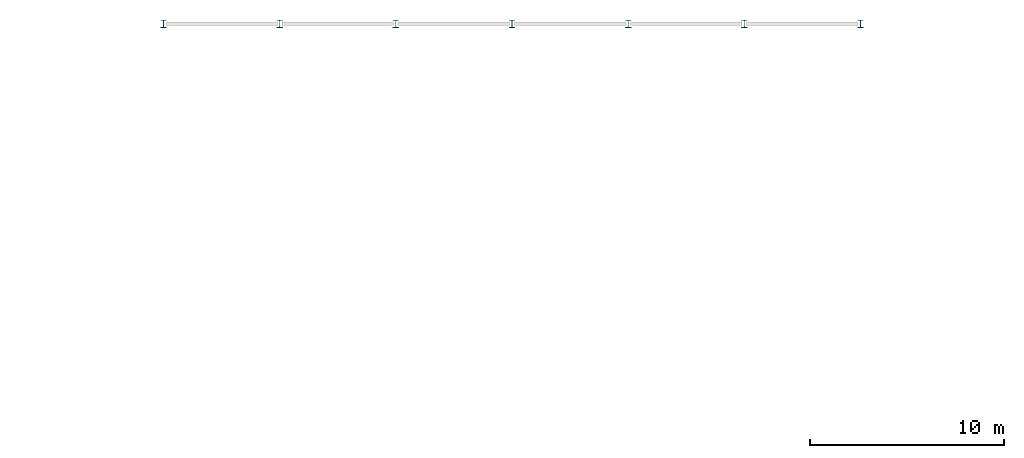
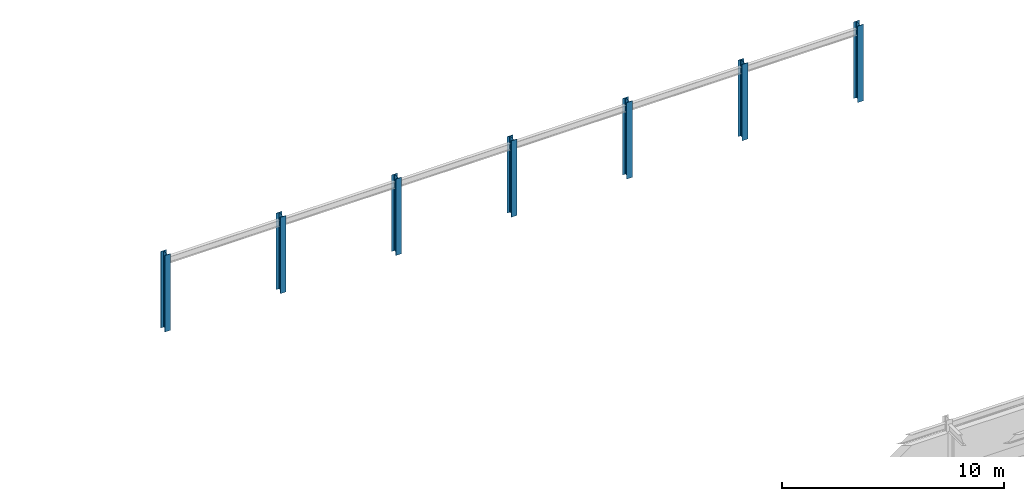
# One storey, part 4 of 47: 7 columns.
"""IFC4 building model written with IfcOpenShell, lengths in metres."""

import ifcopenshell
import ifcopenshell.guid

model = None  # the IFC model being written
_history = None  # IfcOwnerHistory: only IFC2X3 demands one
_inside = {}  # id of a spatial element -> (the spatial element, [elements in it])
_under = {}  # id of a project, library or spatial element -> (it, [spatial elements below it])
_declared = {}  # id of a project -> (the project, [libraries it declares])
_typed = {}  # id of a type object -> (the type object, [elements of that type])
_made_of = {}  # id of a material, layer set ... -> (it, [elements and type objects made of it])


def new_model(schema):
    """Start an empty IFC model of exactly this schema.

    Asked for "IFC4X3", IfcOpenShell would pick the latest addendum, in which some entities
    have other attributes; the version numbers below select the first issue.
    IFC2X3 requires an IfcOwnerHistory on every rooted entity: one is made here for all.
    """
    global model, _history
    if schema == "IFC4X3":
        model = ifcopenshell.file(schema_version=(4, 3, 0, 0))
    else:
        model = ifcopenshell.file(schema=schema)
    _inside.clear()
    _under.clear()
    _declared.clear()
    _typed.clear()
    _made_of.clear()
    _history = None
    if model.schema == "IFC2X3":
        org = make("IfcOrganization", Name="unknown")
        user = make(
            "IfcPersonAndOrganization",
            ThePerson=make("IfcPerson", FamilyName="unknown"),
            TheOrganization=org,
        )
        app = make(
            "IfcApplication",
            ApplicationDeveloper=org,
            Version="unknown",
            ApplicationFullName="unknown",
            ApplicationIdentifier="unknown",
        )
        _history = make(
            "IfcOwnerHistory",
            OwningUser=user,
            OwningApplication=app,
            ChangeAction="ADDED",
            CreationDate=0,
        )
    return model


def make(cls, **values):
    """One entity of the class cls with the attributes given. An attribute that is None is left unset."""
    return model.create_entity(
        cls, **{name: value for name, value in values.items() if value is not None}
    )


def rooted(cls, **values):
    """An entity with a GlobalId (a new one), such as an element, a storey or a relation."""
    return make(cls, GlobalId=ifcopenshell.guid.new(), OwnerHistory=_history, **values)


def si_unit(unit_type, name, prefix=None):
    """IfcSIUnit, for example si_unit("LENGTHUNIT", "METRE", prefix="MILLI")."""
    return make("IfcSIUnit", UnitType=unit_type, Prefix=prefix, Name=name)


def assignment(units):
    """IfcUnitAssignment: the units of a project."""
    return None if units is None else make("IfcUnitAssignment", Units=units)


def point(xyz):
    """IfcCartesianPoint."""
    return None if xyz is None else make("IfcCartesianPoint", Coordinates=xyz)


def direction(xyz):
    """IfcDirection."""
    return None if xyz is None else make("IfcDirection", DirectionRatios=xyz)


def frame(location, z_axis=None, x_axis=None):
    """IfcAxis2Placement3D, a coordinate frame: its origin and axes. An axis left out is left unset."""
    return make(
        "IfcAxis2Placement3D",
        Location=point(location),
        Axis=direction(z_axis),
        RefDirection=direction(x_axis),
    )


def frame_2d(location, x_axis=None):
    """IfcAxis2Placement2D, a coordinate frame in the plane: its origin and x axis."""
    return make(
        "IfcAxis2Placement2D", Location=point(location), RefDirection=direction(x_axis)
    )


def origin():
    """The frame at (0, 0, 0) with its axes left unset."""
    return frame((0.0, 0.0, 0.0))


def origin_2d():
    """The frame at (0, 0) in the plane with its x axis left unset."""
    return frame_2d((0.0, 0.0))


def place(relative_to, where):
    """IfcLocalPlacement: puts the frame where relative to a parent placement (None: the world)."""
    return make(
        "IfcLocalPlacement", PlacementRelTo=relative_to, RelativePlacement=where
    )


def context(
    kind, dimensions, precision=None, world=None, true_north=None, identifier=None
):
    """IfcGeometricRepresentationContext, for example the 3D "Model" context."""
    return make(
        "IfcGeometricRepresentationContext",
        ContextIdentifier=identifier,
        ContextType=kind,
        CoordinateSpaceDimension=dimensions,
        Precision=precision,
        WorldCoordinateSystem=world,
        TrueNorth=true_north,
    )


def subcontext(parent, identifier, kind, view, scale=None):
    """IfcGeometricRepresentationSubContext, for example "Body" below "Model"."""
    return make(
        "IfcGeometricRepresentationSubContext",
        ContextIdentifier=identifier,
        ContextType=kind,
        ParentContext=parent,
        TargetScale=scale,
        TargetView=view,
    )


def project(units=None, contexts=None):
    """IfcProject with its units and contexts."""
    return rooted(
        "IfcProject",
        Name="project",
        RepresentationContexts=contexts,
        UnitsInContext=assignment(units),
    )


def spatial(cls, under=None, at=None, **own):
    """A site, building, storey or space (cls), placed at a placement, below another one or the project."""
    s = rooted(cls, ObjectPlacement=at, **own)
    if under is not None:
        _under.setdefault(under.id(), (under, []))[1].append(s)
    return s


def profile(cls, at=None, kind="AREA", **sizes):
    """A parametric profile (cls). Its sizes go by their IFC names, for example OverallWidth=200.0."""
    return make(cls, ProfileType=kind, Position=at, **sizes)


def i_section(**sizes):
    """IfcIShapeProfileDef."""
    return profile("IfcIShapeProfileDef", **sizes)


def extrude(swept, where, along, depth):
    """IfcExtrudedAreaSolid: the profile swept, set in the frame where, extruded along a direction by depth."""
    return make(
        "IfcExtrudedAreaSolid",
        SweptArea=swept,
        Position=where,
        ExtrudedDirection=direction(along),
        Depth=depth,
    )


def shape(context_of_items, identifier, shape_type, items):
    """IfcShapeRepresentation: the items that make up one representation, for example the "Body"."""
    return make(
        "IfcShapeRepresentation",
        ContextOfItems=context_of_items,
        RepresentationIdentifier=identifier,
        RepresentationType=shape_type,
        Items=items,
    )


def material(Name=None, Category=None):
    """IfcMaterial."""
    return make("IfcMaterial", Name=Name, Category=Category)


def material_profile(
    of_material, cross_section, Name=None, Category=None, Priority=None
):
    """IfcMaterialProfile: a cross section and its material."""
    return make(
        "IfcMaterialProfile",
        Name=Name,
        Material=of_material,
        Profile=cross_section,
        Priority=Priority,
        Category=Category,
    )


def profile_set(profiles, Name=None, composite=None):
    """IfcMaterialProfileSet."""
    return make(
        "IfcMaterialProfileSet",
        Name=Name,
        MaterialProfiles=profiles,
        CompositeProfile=composite,
    )


def made_of(thing, what):
    """Note that an element or type object is made of a material, layer set ...; save() writes the relation."""
    if what is not None:
        _made_of.setdefault(what.id(), (what, []))[1].append(thing)
    return thing


def type_object(cls, material=None, **own):
    """A type object (cls), such as IfcWallType, which elements share."""
    return made_of(rooted(cls, **own), material)


def element(
    cls,
    number,
    at=None,
    inside=None,
    cuts=None,
    type_object=None,
    material=None,
    context=None,
    identifier="Body",
    shape_type=None,
    held_by="IfcProductDefinitionShape",
    body=None,
    shapes=None,
    **own,
):
    """One element of the class cls, such as IfcWall. Its Tag is "e" and its number.

    at: its placement. inside: the storey or other place that contains it. cuts: it is an
    opening in that element (IfcRelVoidsElement). A single representation is given by context,
    identifier, shape_type and body (its items); several are given by shapes. held_by: the class
    of the entity that holds the representations. save() writes the other relations.
    """
    e = rooted(cls, Tag="e%d" % number, ObjectPlacement=at, **own)
    if body is not None:
        shapes = [shape(context, identifier, shape_type, body)]
    if shapes is not None:
        e.Representation = make(held_by, Representations=shapes)
    if inside is not None:
        _inside.setdefault(inside.id(), (inside, []))[1].append(e)
    if cuts is not None:
        rooted(
            "IfcRelVoidsElement", RelatingBuildingElement=cuts, RelatedOpeningElement=e
        )
    if type_object is not None:
        _typed.setdefault(type_object.id(), (type_object, []))[1].append(e)
    return made_of(e, material)


def aggregate(whole, parts):
    """IfcRelAggregates: a whole, such as a stair, and the parts it consists of."""
    return rooted("IfcRelAggregates", RelatingObject=whole, RelatedObjects=parts)


def save(model, path):
    """Write the relations noted so far, then the file.

    IfcRelAggregates (storeys below a building ...), IfcRelContainedInSpatialStructure (elements
    in a storey), IfcRelDefinesByType, IfcRelAssociatesMaterial and IfcRelDeclares: one each for
    every whole, place, type object, material and project.
    """
    for whole, parts in _under.values():
        aggregate(whole, parts)
    for where, things in _inside.values():
        rooted(
            "IfcRelContainedInSpatialStructure",
            RelatedElements=things,
            RelatingStructure=where,
        )
    for kind, things in _typed.values():
        rooted("IfcRelDefinesByType", RelatedObjects=things, RelatingType=kind)
    for what, things in _made_of.values():
        rooted("IfcRelAssociatesMaterial", RelatedObjects=things, RelatingMaterial=what)
    for by, libraries in _declared.values():
        rooted("IfcRelDeclares", RelatingContext=by, RelatedDefinitions=libraries)
    model.write(path)


model = new_model("IFC4")

# Units and contexts
model_context = context("Model", 3, precision=1e-05, world=origin(), true_north=direction((0.0, 1.0)))
body_context = subcontext(model_context, "Body", "Model", "MODEL_VIEW")
ifc_project = project(units=[si_unit("LENGTHUNIT", "METRE"), si_unit("AREAUNIT", "SQUARE_METRE"), si_unit("VOLUMEUNIT", "CUBIC_METRE"), si_unit("PLANEANGLEUNIT", "RADIAN"), si_unit("MASSUNIT", "GRAM", prefix="KILO")], contexts=[model_context])

# Site, building, storey
site_placement = place(None, origin())
site = spatial("IfcSite", under=ifc_project, at=site_placement, CompositionType="ELEMENT")
building_placement = place(site_placement, origin())
building = spatial("IfcBuilding", under=site, at=building_placement, Name="Brisavento Harbour Community Centre", CompositionType="ELEMENT")
storey_placement = place(building_placement, frame((0.0, 0.0, 8.699951171875)))
storey = spatial("IfcBuildingStorey", under=building, at=storey_placement, Name="L02", CompositionType="ELEMENT", Elevation=8.699951171875)

# Columns
ifc_material = material(Name="Steel S355", Category="steel")
ifc_material_profile = material_profile(ifc_material, i_section(OverallWidth=0.300048828125, OverallDepth=0.389892578125, WebThickness=0.010986328125, FlangeThickness=0.01904296875, FilletRadius=0.027099609375, at=origin_2d()), Name="Steel S355")
ifc_profile_set = profile_set([ifc_material_profile], Name="Steel S355")
column_type = type_object("IfcColumnType", Name="COL-STL-HEA400", PredefinedType="COLUMN", material=ifc_profile_set)
for number, where, z_axis, x_axis, name in (
    (1, (129.60009765625, 115.199951171875, 0.0), (0.0, 0.0, 1.0), (1.0, 0.0, 0.0), "L02 column V4TN-1"),
    (2, (135.60009765625, 115.199951171875, 0.0), (0.0, 0.0, 1.0), (1.0, 0.0, 0.0), "L02 column V4TN-2"),
    (3, (141.60009765625, 115.199951171875, 0.0), (0.0, 0.0, 1.0), (1.0, 0.0, 0.0), "L02 column V4TN-3"),
    (4, (147.60009765625, 115.199951171875, 0.0), (0.0, 0.0, 1.0), (1.0, 0.0, 0.0), "L02 column V4TN-4"),
    (5, (153.60009765625, 115.199951171875, 0.0), (0.0, 0.0, 1.0), (1.0, 0.0, 0.0), "L02 column V4TN-5"),
    (6, (159.60009765625, 115.199951171875, 0.0), (0.0, 0.0, 1.0), (1.0, 0.0, 0.0), "L02 column V4TN-6"),
    (7, (165.60009765625, 115.199951171875, 0.0), (0.0, 0.0, 1.0), (1.0, 0.0, 0.0), "L02 column V4TN-7"),
):
    element("IfcColumn", number, at=place(storey_placement, frame(where, z_axis=z_axis, x_axis=x_axis)), inside=storey, type_object=column_type, Name=name, PredefinedType="COLUMN", context=body_context, shape_type="SweptSolid", body=[
        extrude(i_section(OverallWidth=0.300048828125, OverallDepth=0.389892578125, WebThickness=0.010986328125, FlangeThickness=0.01904296875, FilletRadius=0.027099609375, at=origin_2d()), origin(), (0.0, 0.0, 1.0), 4.199951171875),
    ])

save(model, "model.ifc")
